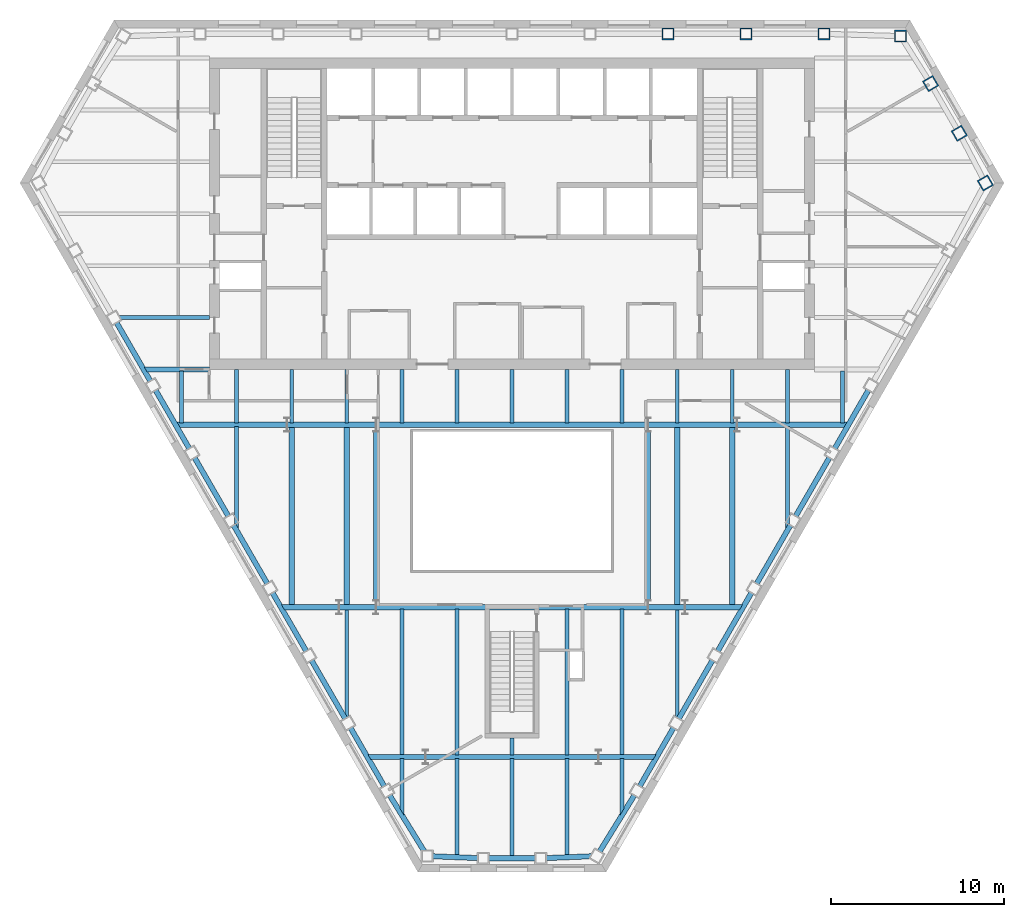
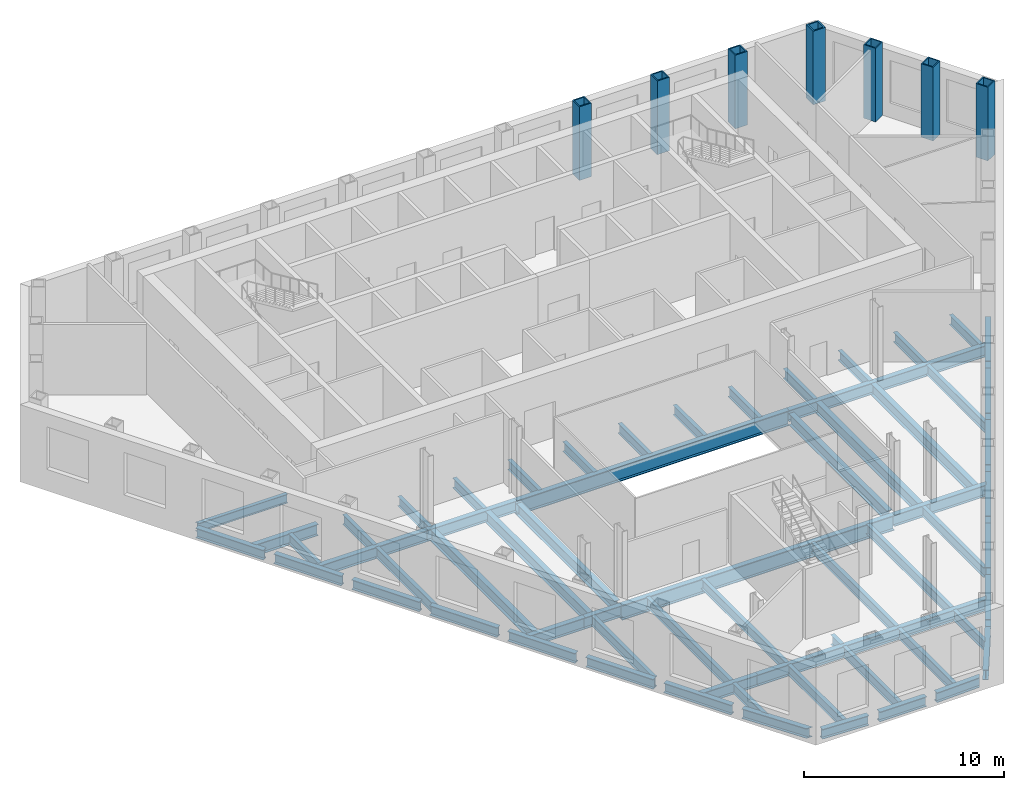
# One storey, part 2 of 10: 66 beams, 7 columns.
"""IFC4 building model written with IfcOpenShell, lengths in metres."""

import ifcopenshell
import ifcopenshell.guid

model = None  # the IFC model being written
_history = None  # IfcOwnerHistory: only IFC2X3 demands one
_inside = {}  # id of a spatial element -> (the spatial element, [elements in it])
_under = {}  # id of a project, library or spatial element -> (it, [spatial elements below it])
_declared = {}  # id of a project -> (the project, [libraries it declares])
_typed = {}  # id of a type object -> (the type object, [elements of that type])
_made_of = {}  # id of a material, layer set ... -> (it, [elements and type objects made of it])


def new_model(schema):
    """Start an empty IFC model of exactly this schema.

    Asked for "IFC4X3", IfcOpenShell would pick the latest addendum, in which some entities
    have other attributes; the version numbers below select the first issue.
    IFC2X3 requires an IfcOwnerHistory on every rooted entity: one is made here for all.
    """
    global model, _history
    if schema == "IFC4X3":
        model = ifcopenshell.file(schema_version=(4, 3, 0, 0))
    else:
        model = ifcopenshell.file(schema=schema)
    _inside.clear()
    _under.clear()
    _declared.clear()
    _typed.clear()
    _made_of.clear()
    _history = None
    if model.schema == "IFC2X3":
        org = make("IfcOrganization", Name="unknown")
        user = make(
            "IfcPersonAndOrganization",
            ThePerson=make("IfcPerson", FamilyName="unknown"),
            TheOrganization=org,
        )
        app = make(
            "IfcApplication",
            ApplicationDeveloper=org,
            Version="unknown",
            ApplicationFullName="unknown",
            ApplicationIdentifier="unknown",
        )
        _history = make(
            "IfcOwnerHistory",
            OwningUser=user,
            OwningApplication=app,
            ChangeAction="ADDED",
            CreationDate=0,
        )
    return model


def make(cls, **values):
    """One entity of the class cls with the attributes given. An attribute that is None is left unset."""
    return model.create_entity(
        cls, **{name: value for name, value in values.items() if value is not None}
    )


def rooted(cls, **values):
    """An entity with a GlobalId (a new one), such as an element, a storey or a relation."""
    return make(cls, GlobalId=ifcopenshell.guid.new(), OwnerHistory=_history, **values)


def si_unit(unit_type, name, prefix=None):
    """IfcSIUnit, for example si_unit("LENGTHUNIT", "METRE", prefix="MILLI")."""
    return make("IfcSIUnit", UnitType=unit_type, Prefix=prefix, Name=name)


def assignment(units):
    """IfcUnitAssignment: the units of a project."""
    return None if units is None else make("IfcUnitAssignment", Units=units)


def point(xyz):
    """IfcCartesianPoint."""
    return None if xyz is None else make("IfcCartesianPoint", Coordinates=xyz)


def direction(xyz):
    """IfcDirection."""
    return None if xyz is None else make("IfcDirection", DirectionRatios=xyz)


def frame(location, z_axis=None, x_axis=None):
    """IfcAxis2Placement3D, a coordinate frame: its origin and axes. An axis left out is left unset."""
    return make(
        "IfcAxis2Placement3D",
        Location=point(location),
        Axis=direction(z_axis),
        RefDirection=direction(x_axis),
    )


def frame_2d(location, x_axis=None):
    """IfcAxis2Placement2D, a coordinate frame in the plane: its origin and x axis."""
    return make(
        "IfcAxis2Placement2D", Location=point(location), RefDirection=direction(x_axis)
    )


def origin():
    """The frame at (0, 0, 0) with its axes left unset."""
    return frame((0.0, 0.0, 0.0))


def origin_2d():
    """The frame at (0, 0) in the plane with its x axis left unset."""
    return frame_2d((0.0, 0.0))


def place(relative_to, where):
    """IfcLocalPlacement: puts the frame where relative to a parent placement (None: the world)."""
    return make(
        "IfcLocalPlacement", PlacementRelTo=relative_to, RelativePlacement=where
    )


def context(
    kind, dimensions, precision=None, world=None, true_north=None, identifier=None
):
    """IfcGeometricRepresentationContext, for example the 3D "Model" context."""
    return make(
        "IfcGeometricRepresentationContext",
        ContextIdentifier=identifier,
        ContextType=kind,
        CoordinateSpaceDimension=dimensions,
        Precision=precision,
        WorldCoordinateSystem=world,
        TrueNorth=true_north,
    )


def subcontext(parent, identifier, kind, view, scale=None):
    """IfcGeometricRepresentationSubContext, for example "Body" below "Model"."""
    return make(
        "IfcGeometricRepresentationSubContext",
        ContextIdentifier=identifier,
        ContextType=kind,
        ParentContext=parent,
        TargetScale=scale,
        TargetView=view,
    )


def project(units=None, contexts=None):
    """IfcProject with its units and contexts."""
    return rooted(
        "IfcProject",
        Name="project",
        RepresentationContexts=contexts,
        UnitsInContext=assignment(units),
    )


def spatial(cls, under=None, at=None, **own):
    """A site, building, storey or space (cls), placed at a placement, below another one or the project."""
    s = rooted(cls, ObjectPlacement=at, **own)
    if under is not None:
        _under.setdefault(under.id(), (under, []))[1].append(s)
    return s


def profile(cls, at=None, kind="AREA", **sizes):
    """A parametric profile (cls). Its sizes go by their IFC names, for example OverallWidth=200.0."""
    return make(cls, ProfileType=kind, Position=at, **sizes)


def hollow_rectangle(**sizes):
    """IfcRectangleHollowProfileDef."""
    return profile("IfcRectangleHollowProfileDef", **sizes)


def i_section(**sizes):
    """IfcIShapeProfileDef."""
    return profile("IfcIShapeProfileDef", **sizes)


def extrude(swept, where, along, depth):
    """IfcExtrudedAreaSolid: the profile swept, set in the frame where, extruded along a direction by depth."""
    return make(
        "IfcExtrudedAreaSolid",
        SweptArea=swept,
        Position=where,
        ExtrudedDirection=direction(along),
        Depth=depth,
    )


def clip(a, b, op="DIFFERENCE"):
    """IfcBooleanClippingResult: the solid a cut by the half space b."""
    return make(
        "IfcBooleanClippingResult", Operator=op, FirstOperand=a, SecondOperand=b
    )


def halfspace(plane, agree):
    """IfcHalfSpaceSolid: all space on one side of the plane z = 0 of the frame plane."""
    return make(
        "IfcHalfSpaceSolid",
        BaseSurface=make("IfcPlane", Position=plane),
        AgreementFlag=agree,
    )


def shape(context_of_items, identifier, shape_type, items):
    """IfcShapeRepresentation: the items that make up one representation, for example the "Body"."""
    return make(
        "IfcShapeRepresentation",
        ContextOfItems=context_of_items,
        RepresentationIdentifier=identifier,
        RepresentationType=shape_type,
        Items=items,
    )


def material(Name=None, Category=None):
    """IfcMaterial."""
    return make("IfcMaterial", Name=Name, Category=Category)


def material_profile(
    of_material, cross_section, Name=None, Category=None, Priority=None
):
    """IfcMaterialProfile: a cross section and its material."""
    return make(
        "IfcMaterialProfile",
        Name=Name,
        Material=of_material,
        Profile=cross_section,
        Priority=Priority,
        Category=Category,
    )


def profile_set(profiles, Name=None, composite=None):
    """IfcMaterialProfileSet."""
    return make(
        "IfcMaterialProfileSet",
        Name=Name,
        MaterialProfiles=profiles,
        CompositeProfile=composite,
    )


def made_of(thing, what):
    """Note that an element or type object is made of a material, layer set ...; save() writes the relation."""
    if what is not None:
        _made_of.setdefault(what.id(), (what, []))[1].append(thing)
    return thing


def type_object(cls, material=None, **own):
    """A type object (cls), such as IfcWallType, which elements share."""
    return made_of(rooted(cls, **own), material)


def element(
    cls,
    number,
    at=None,
    inside=None,
    cuts=None,
    type_object=None,
    material=None,
    context=None,
    identifier="Body",
    shape_type=None,
    held_by="IfcProductDefinitionShape",
    body=None,
    shapes=None,
    **own,
):
    """One element of the class cls, such as IfcWall. Its Tag is "e" and its number.

    at: its placement. inside: the storey or other place that contains it. cuts: it is an
    opening in that element (IfcRelVoidsElement). A single representation is given by context,
    identifier, shape_type and body (its items); several are given by shapes. held_by: the class
    of the entity that holds the representations. save() writes the other relations.
    """
    e = rooted(cls, Tag="e%d" % number, ObjectPlacement=at, **own)
    if body is not None:
        shapes = [shape(context, identifier, shape_type, body)]
    if shapes is not None:
        e.Representation = make(held_by, Representations=shapes)
    if inside is not None:
        _inside.setdefault(inside.id(), (inside, []))[1].append(e)
    if cuts is not None:
        rooted(
            "IfcRelVoidsElement", RelatingBuildingElement=cuts, RelatedOpeningElement=e
        )
    if type_object is not None:
        _typed.setdefault(type_object.id(), (type_object, []))[1].append(e)
    return made_of(e, material)


def aggregate(whole, parts):
    """IfcRelAggregates: a whole, such as a stair, and the parts it consists of."""
    return rooted("IfcRelAggregates", RelatingObject=whole, RelatedObjects=parts)


def save(model, path):
    """Write the relations noted so far, then the file.

    IfcRelAggregates (storeys below a building ...), IfcRelContainedInSpatialStructure (elements
    in a storey), IfcRelDefinesByType, IfcRelAssociatesMaterial and IfcRelDeclares: one each for
    every whole, place, type object, material and project.
    """
    for whole, parts in _under.values():
        aggregate(whole, parts)
    for where, things in _inside.values():
        rooted(
            "IfcRelContainedInSpatialStructure",
            RelatedElements=things,
            RelatingStructure=where,
        )
    for kind, things in _typed.values():
        rooted("IfcRelDefinesByType", RelatedObjects=things, RelatingType=kind)
    for what, things in _made_of.values():
        rooted("IfcRelAssociatesMaterial", RelatedObjects=things, RelatingMaterial=what)
    for by, libraries in _declared.values():
        rooted("IfcRelDeclares", RelatingContext=by, RelatedDefinitions=libraries)
    model.write(path)


model = new_model("IFC4")

# Units and contexts
model_context = context("Model", 3, precision=1e-05, world=origin(), true_north=direction((0.0, 1.0)))
body_context = subcontext(model_context, "Body", "Model", "MODEL_VIEW")
ifc_project = project(units=[si_unit("LENGTHUNIT", "METRE"), si_unit("AREAUNIT", "SQUARE_METRE"), si_unit("VOLUMEUNIT", "CUBIC_METRE"), si_unit("PLANEANGLEUNIT", "RADIAN"), si_unit("MASSUNIT", "GRAM", prefix="KILO")], contexts=[model_context])

# Site, building, storey
site_placement = place(None, origin())
site = spatial("IfcSite", under=ifc_project, at=site_placement, CompositionType="ELEMENT")
building_placement = place(site_placement, origin())
building = spatial("IfcBuilding", under=site, at=building_placement, Name="Njiva Tower", CompositionType="ELEMENT")
storey_placement = place(building_placement, frame((0.0, 0.0, 73.8)))
storey = spatial("IfcBuildingStorey", under=building, at=storey_placement, Name="L15", CompositionType="ELEMENT", Elevation=73.8)

# Columns
ifc_material = material(Name="Steel S355 J2", Category="steel")
ifc_material_profile_1 = material_profile(ifc_material, hollow_rectangle(XDim=0.7, YDim=0.7, WallThickness=0.07, at=origin_2d()), Name="BOX 700x700x70")
ifc_profile_set_1 = profile_set([ifc_material_profile_1], Name="Steel S355 J2")
column_type = type_object("IfcColumnType", Name="C5 Perimeter tube column BOX 700x700x70", PredefinedType="COLUMN", material=ifc_profile_set_1)
for number, where, z_axis, x_axis, name in (
    (1, (22.461, 19.267, 0.0), (0.0, 0.0, 1.0), (-1.0, 0.0, 0.0), "Perimeter tube column S05-C01"),
    (2, (18.03, 19.4, 0.0), (0.0, 0.0, 1.0), (-1.0, 0.0, 0.0), "Perimeter tube column S05-C02"),
    (3, (13.523, 19.4, 0.0), (0.0, 0.0, 1.0), (-1.0, 0.0, 0.0), "Perimeter tube column S05-C03"),
    (4, (9.015, 19.4, 0.0), (0.0, 0.0, 1.0), (-1.0, 0.0, 0.0), "Perimeter tube column S05-C04"),
    (5, (27.363, 10.778, 0.0), (0.0, 0.0, 1.0), (-0.5, 0.866025403784, 0.0), "Perimeter tube column S05-C37"),
    (6, (25.857, 13.652, 0.0), (0.0, 0.0, 1.0), (-0.5, 0.866025403784, 0.0), "Perimeter tube column S05-C38"),
    (7, (24.197, 16.526, 0.0), (0.0, 0.0, 1.0), (-0.5, 0.866025403784, 0.0), "Perimeter tube column S05-C39"),
):
    element("IfcColumn", number, at=place(storey_placement, frame(where, z_axis=z_axis, x_axis=x_axis)), inside=storey, type_object=column_type, Name=name, PredefinedType="COLUMN", context=body_context, shape_type="SweptSolid", body=[
        extrude(hollow_rectangle(XDim=0.7, YDim=0.7, WallThickness=0.07, at=origin_2d()), origin(), (0.0, 0.0, 1.0), 4.5),
    ])

# Beams
ifc_material_profile_2 = material_profile(ifc_material, i_section(OverallWidth=0.21, OverallDepth=0.55, WebThickness=0.0111, FlangeThickness=0.0172, at=origin_2d()), Name="IPE 550")
ifc_profile_set_2 = profile_set([ifc_material_profile_2], Name="Steel S355 J2")
beam_type_1 = type_object("IfcBeamType", Name="B10 Floor beam to the core IPE 550", PredefinedType="BEAM", material=ifc_profile_set_2)
beam_1_placement = place(storey_placement, frame((-22.761, 3.0, -0.475), z_axis=(1.0, 0.0, 0.0), x_axis=(0.0, 1.0, 0.0)))
element("IfcBeam", 8, at=beam_1_placement, inside=storey, type_object=beam_type_1, Name="Floor beam to the core S05-B007", PredefinedType="BEAM", context=body_context, shape_type="Clipping", body=[
    clip(extrude(i_section(OverallWidth=0.21, OverallDepth=0.55, WebThickness=0.0111, FlangeThickness=0.0172, at=origin_2d()), origin(), (0.0, 0.0, 1.0), 5.261), halfspace(frame((-0.025, 0.0, 0.0955), z_axis=(-0.499998009787, 0.0, -0.866026552831), x_axis=(0.0, -1.0, 0.0)), False)),
])
ifc_material_profile_3 = material_profile(ifc_material, i_section(OverallWidth=0.3, OverallDepth=0.69, WebThickness=0.0145, FlangeThickness=0.027, at=origin_2d()), Name="HEA 700")
ifc_profile_set_3 = profile_set([ifc_material_profile_3], Name="Steel S355 J2")
beam_type_2 = type_object("IfcBeamType", Name="B12 Long-span floor joist HEA 700", PredefinedType="JOIST", material=ifc_profile_set_3)
for number, where, z_axis, x_axis, name in (
    (9, (-12.733, -3.3, -0.545), (0.0, -1.0, 0.0), (1.0, 0.0, 0.0), "Long-span floor joist S05-B063"),
    (10, (-9.55, -3.3, -0.545), (0.0, -1.0, 0.0), (1.0, 0.0, 0.0), "Long-span floor joist S05-B067"),
    (11, (9.55, -3.3, -0.545), (0.0, -1.0, 0.0), (1.0, 0.0, 0.0), "Long-span floor joist S05-B086"),
    (12, (12.733, -3.3, -0.545), (0.0, -1.0, 0.0), (1.0, 0.0, 0.0), "Long-span floor joist S05-B088"),
):
    element("IfcBeam", number, at=place(storey_placement, frame(where, z_axis=z_axis, x_axis=x_axis)), inside=storey, type_object=beam_type_2, Name=name, PredefinedType="JOIST", context=body_context, shape_type="SweptSolid", body=[
        extrude(i_section(OverallWidth=0.3, OverallDepth=0.69, WebThickness=0.0145, FlangeThickness=0.027, at=origin_2d()), origin(), (0.0, 0.0, 1.0), 10.35),
    ])
ifc_material_profile_4 = material_profile(ifc_material, i_section(OverallWidth=0.22, OverallDepth=0.6, WebThickness=0.012, FlangeThickness=0.019, at=origin_2d()), Name="IPE 600")
ifc_profile_set_4 = profile_set([ifc_material_profile_4], Name="Steel S355 J2")
beam_type_3 = type_object("IfcBeamType", Name="B13 Floor joist IPE 600", PredefinedType="JOIST", material=ifc_profile_set_4)
beam_2_placement = place(storey_placement, frame((-15.917, -3.3, -0.5), z_axis=(0.0, -1.0, 0.0), x_axis=(1.0, 0.0, 0.0)))
element("IfcBeam", 13, at=beam_2_placement, inside=storey, type_object=beam_type_3, Name="Floor joist S05-B061", PredefinedType="JOIST", context=body_context, shape_type="Clipping", body=[
    clip(extrude(i_section(OverallWidth=0.22, OverallDepth=0.6, WebThickness=0.012, FlangeThickness=0.019, at=origin_2d()), origin(), (0.0, 0.0, 1.0), 6.024), halfspace(frame((-0.043, 0.0, 5.7384), z_axis=(-0.866026552831, 0.0, 0.499998009787), x_axis=(0.0, 1.0, 0.0)), False)),
])
beam_3_placement = place(storey_placement, frame((-9.55, -13.85, -0.5), z_axis=(0.0, -1.0, 0.0), x_axis=(1.0, 0.0, 0.0)))
element("IfcBeam", 14, at=beam_3_placement, inside=storey, type_object=beam_type_3, Name="Floor joist S05-B066", PredefinedType="JOIST", context=body_context, shape_type="Clipping", body=[
    clip(extrude(i_section(OverallWidth=0.22, OverallDepth=0.6, WebThickness=0.012, FlangeThickness=0.019, at=origin_2d()), origin(), (0.0, 0.0, 1.0), 6.377), halfspace(frame((0.025, 0.0, 6.2781), z_axis=(0.499998009787, 0.0, 0.866026552831), x_axis=(0.0, 1.0, 0.0)), False)),
])
for number, where, z_axis, x_axis, name in (
    (15, (-6.367, -13.851, -0.5), (0.0, -1.0, 0.0), (1.0, 0.0, 0.0), "Floor joist S05-B070"),
    (16, (-3.183, -13.851, -0.5), (0.0, -1.0, 0.0), (1.0, 0.0, 0.0), "Floor joist S05-B073"),
):
    element("IfcBeam", number, at=place(storey_placement, frame(where, z_axis=z_axis, x_axis=x_axis)), inside=storey, type_object=beam_type_3, Name=name, PredefinedType="JOIST", context=body_context, shape_type="SweptSolid", body=[
        extrude(i_section(OverallWidth=0.22, OverallDepth=0.6, WebThickness=0.012, FlangeThickness=0.019, at=origin_2d()), origin(), (0.0, 0.0, 1.0), 8.449),
    ])
beam_4_placement = place(storey_placement, frame((-3.183, -22.5, -0.5), z_axis=(0.0, -1.0, 0.0), x_axis=(1.0, 0.0, 0.0)))
element("IfcBeam", 17, at=beam_4_placement, inside=storey, type_object=beam_type_3, Name="Floor joist S05-B072", PredefinedType="JOIST", context=body_context, shape_type="SweptSolid", body=[
    extrude(i_section(OverallWidth=0.22, OverallDepth=0.6, WebThickness=0.012, FlangeThickness=0.019, at=origin_2d()), origin(), (0.0, 0.0, 1.0), 5.593),
])
beam_5_placement = place(storey_placement, frame((0.0, -22.5, -0.5), z_axis=(0.0, -1.0, 0.0), x_axis=(1.0, 0.0, 0.0)))
element("IfcBeam", 18, at=beam_5_placement, inside=storey, type_object=beam_type_3, Name="Floor joist S05-B075", PredefinedType="JOIST", context=body_context, shape_type="SweptSolid", body=[
    extrude(i_section(OverallWidth=0.22, OverallDepth=0.6, WebThickness=0.012, FlangeThickness=0.019, at=origin_2d()), origin(), (0.0, 0.0, 1.0), 5.66),
])
beam_6_placement = place(storey_placement, frame((3.183, -13.851, -0.5), z_axis=(0.0, -1.0, 0.0), x_axis=(1.0, 0.0, 0.0)))
element("IfcBeam", 19, at=beam_6_placement, inside=storey, type_object=beam_type_3, Name="Floor joist S05-B079", PredefinedType="JOIST", context=body_context, shape_type="SweptSolid", body=[
    extrude(i_section(OverallWidth=0.22, OverallDepth=0.6, WebThickness=0.012, FlangeThickness=0.019, at=origin_2d()), origin(), (0.0, 0.0, 1.0), 8.449),
])
beam_7_placement = place(storey_placement, frame((3.183, -22.5, -0.5), z_axis=(0.0, -1.0, 0.0), x_axis=(1.0, 0.0, 0.0)))
element("IfcBeam", 20, at=beam_7_placement, inside=storey, type_object=beam_type_3, Name="Floor joist S05-B078", PredefinedType="JOIST", context=body_context, shape_type="SweptSolid", body=[
    extrude(i_section(OverallWidth=0.22, OverallDepth=0.6, WebThickness=0.012, FlangeThickness=0.019, at=origin_2d()), origin(), (0.0, 0.0, 1.0), 5.593),
])
beam_8_placement = place(storey_placement, frame((6.367, -13.851, -0.5), z_axis=(0.0, -1.0, 0.0), x_axis=(1.0, 0.0, 0.0)))
element("IfcBeam", 21, at=beam_8_placement, inside=storey, type_object=beam_type_3, Name="Floor joist S05-B082", PredefinedType="JOIST", context=body_context, shape_type="SweptSolid", body=[
    extrude(i_section(OverallWidth=0.22, OverallDepth=0.6, WebThickness=0.012, FlangeThickness=0.019, at=origin_2d()), origin(), (0.0, 0.0, 1.0), 8.449),
])
beam_9_placement = place(storey_placement, frame((9.55, -13.85, -0.5), z_axis=(0.0, -1.0, 0.0), x_axis=(1.0, 0.0, 0.0)))
element("IfcBeam", 22, at=beam_9_placement, inside=storey, type_object=beam_type_3, Name="Floor joist S05-B085", PredefinedType="JOIST", context=body_context, shape_type="Clipping", body=[
    clip(extrude(i_section(OverallWidth=0.22, OverallDepth=0.6, WebThickness=0.012, FlangeThickness=0.019, at=origin_2d()), origin(), (0.0, 0.0, 1.0), 6.377), halfspace(frame((-0.025, 0.0, 6.2781), z_axis=(-0.499998009787, 0.0, 0.866026552831), x_axis=(0.0, 1.0, 0.0)), False)),
])
beam_10_placement = place(storey_placement, frame((15.917, -3.3, -0.5), z_axis=(0.0, -1.0, 0.0), x_axis=(1.0, 0.0, 0.0)))
element("IfcBeam", 23, at=beam_10_placement, inside=storey, type_object=beam_type_3, Name="Floor joist S05-B090", PredefinedType="JOIST", context=body_context, shape_type="Clipping", body=[
    clip(extrude(i_section(OverallWidth=0.22, OverallDepth=0.6, WebThickness=0.012, FlangeThickness=0.019, at=origin_2d()), origin(), (0.0, 0.0, 1.0), 6.024), halfspace(frame((0.043, 0.0, 5.7384), z_axis=(0.866026552831, 0.0, 0.499998009787), x_axis=(0.0, 1.0, 0.0)), False)),
])
ifc_material_profile_5 = material_profile(ifc_material, i_section(OverallWidth=0.22, OverallDepth=0.6, WebThickness=0.012, FlangeThickness=0.019, at=origin_2d()), Name="IPE 600")
ifc_profile_set_5 = profile_set([ifc_material_profile_5], Name="Steel S355 J2")
beam_type_4 = type_object("IfcBeamType", Name="B14 Short-span floor joist IPE 600", PredefinedType="JOIST", material=ifc_profile_set_5)
beam_11_placement = place(storey_placement, frame((-19.1, -0.1, -0.5), z_axis=(0.0, -1.0, 0.0), x_axis=(1.0, 0.0, 0.0)))
element("IfcBeam", 24, at=beam_11_placement, inside=storey, type_object=beam_type_4, Name="Short-span floor joist S05-B060", PredefinedType="JOIST", context=body_context, shape_type="SweptSolid", body=[
    extrude(i_section(OverallWidth=0.22, OverallDepth=0.6, WebThickness=0.012, FlangeThickness=0.019, at=origin_2d()), origin(), (0.0, 0.0, 1.0), 3.0),
])
for number, where, z_axis, x_axis, name in (
    (25, (-15.917, -0.005, -0.5), (0.0, -1.0, 0.0), (1.0, 0.0, 0.0), "Short-span floor joist S05-B062"),
    (26, (-12.733, -0.005, -0.5), (0.0, -1.0, 0.0), (1.0, 0.0, 0.0), "Short-span floor joist S05-B064"),
    (27, (-9.55, -0.005, -0.5), (0.0, -1.0, 0.0), (1.0, 0.0, 0.0), "Short-span floor joist S05-B068"),
):
    element("IfcBeam", number, at=place(storey_placement, frame(where, z_axis=z_axis, x_axis=x_axis)), inside=storey, type_object=beam_type_4, Name=name, PredefinedType="JOIST", context=body_context, shape_type="SweptSolid", body=[
        extrude(i_section(OverallWidth=0.22, OverallDepth=0.6, WebThickness=0.012, FlangeThickness=0.019, at=origin_2d()), origin(), (0.0, 0.0, 1.0), 3.095),
    ])
beam_12_placement = place(storey_placement, frame((-6.367, -0.005, -0.5), z_axis=(0.0, -1.0, 0.0), x_axis=(1.0, 0.0, 0.0)))
element("IfcBeam", 28, at=beam_12_placement, inside=storey, type_object=beam_type_4, Name="Short-span floor joist S05-B071", PredefinedType="JOIST", context=body_context, shape_type="SweptSolid", body=[
    extrude(i_section(OverallWidth=0.22, OverallDepth=0.6, WebThickness=0.012, FlangeThickness=0.019, at=origin_2d()), origin(), (0.0, 0.0, 1.0), 3.094),
])
beam_13_placement = place(storey_placement, frame((-6.367, -22.5, -0.5), z_axis=(0.0, -1.0, 0.0), x_axis=(1.0, 0.0, 0.0)))
element("IfcBeam", 29, at=beam_13_placement, inside=storey, type_object=beam_type_4, Name="Short-span floor joist S05-B069", PredefinedType="JOIST", context=body_context, shape_type="Clipping", body=[
    clip(extrude(i_section(OverallWidth=0.22, OverallDepth=0.6, WebThickness=0.012, FlangeThickness=0.019, at=origin_2d()), origin(), (0.0, 0.0, 1.0), 3.263), halfspace(frame((-0.0422, 0.0, 2.9967), z_axis=(-0.850620428373, 0.0, 0.525780264783), x_axis=(0.0, 1.0, 0.0)), False)),
])
for number, where, z_axis, x_axis, name in (
    (30, (-3.183, -0.005, -0.5), (0.0, -1.0, 0.0), (1.0, 0.0, 0.0), "Short-span floor joist S05-B074"),
    (31, (0.0, -0.005, -0.5), (0.0, -1.0, 0.0), (1.0, 0.0, 0.0), "Short-span floor joist S05-B077"),
):
    element("IfcBeam", number, at=place(storey_placement, frame(where, z_axis=z_axis, x_axis=x_axis)), inside=storey, type_object=beam_type_4, Name=name, PredefinedType="JOIST", context=body_context, shape_type="SweptSolid", body=[
        extrude(i_section(OverallWidth=0.22, OverallDepth=0.6, WebThickness=0.012, FlangeThickness=0.019, at=origin_2d()), origin(), (0.0, 0.0, 1.0), 3.094),
    ])
beam_14_placement = place(storey_placement, frame((0.0, -21.3, -0.5), z_axis=(0.0, -1.0, 0.0), x_axis=(1.0, 0.0, 0.0)))
element("IfcBeam", 32, at=beam_14_placement, inside=storey, type_object=beam_type_4, Name="Short-span floor joist S05-B076", PredefinedType="JOIST", context=body_context, shape_type="SweptSolid", body=[
    extrude(i_section(OverallWidth=0.22, OverallDepth=0.6, WebThickness=0.012, FlangeThickness=0.019, at=origin_2d()), origin(), (0.0, 0.0, 1.0), 1.0),
])
for number, where, z_axis, x_axis, name in (
    (33, (3.183, -0.005, -0.5), (0.0, -1.0, 0.0), (1.0, 0.0, 0.0), "Short-span floor joist S05-B080"),
    (34, (6.367, -0.005, -0.5), (0.0, -1.0, 0.0), (1.0, 0.0, 0.0), "Short-span floor joist S05-B083"),
):
    element("IfcBeam", number, at=place(storey_placement, frame(where, z_axis=z_axis, x_axis=x_axis)), inside=storey, type_object=beam_type_4, Name=name, PredefinedType="JOIST", context=body_context, shape_type="SweptSolid", body=[
        extrude(i_section(OverallWidth=0.22, OverallDepth=0.6, WebThickness=0.012, FlangeThickness=0.019, at=origin_2d()), origin(), (0.0, 0.0, 1.0), 3.094),
    ])
beam_15_placement = place(storey_placement, frame((6.367, -22.5, -0.5), z_axis=(0.0, -1.0, 0.0), x_axis=(1.0, 0.0, 0.0)))
element("IfcBeam", 35, at=beam_15_placement, inside=storey, type_object=beam_type_4, Name="Short-span floor joist S05-B081", PredefinedType="JOIST", context=body_context, shape_type="Clipping", body=[
    clip(extrude(i_section(OverallWidth=0.22, OverallDepth=0.6, WebThickness=0.012, FlangeThickness=0.019, at=origin_2d()), origin(), (0.0, 0.0, 1.0), 3.263), halfspace(frame((0.0422, 0.0, 2.9967), z_axis=(0.850620428373, 0.0, 0.525780264783), x_axis=(0.0, 1.0, 0.0)), False)),
])
for number, where, z_axis, x_axis, name in (
    (36, (9.55, -0.005, -0.5), (0.0, -1.0, 0.0), (1.0, 0.0, 0.0), "Short-span floor joist S05-B087"),
    (37, (12.733, -0.005, -0.5), (0.0, -1.0, 0.0), (1.0, 0.0, 0.0), "Short-span floor joist S05-B089"),
    (38, (15.917, -0.005, -0.5), (0.0, -1.0, 0.0), (1.0, 0.0, 0.0), "Short-span floor joist S05-B091"),
):
    element("IfcBeam", number, at=place(storey_placement, frame(where, z_axis=z_axis, x_axis=x_axis)), inside=storey, type_object=beam_type_4, Name=name, PredefinedType="JOIST", context=body_context, shape_type="SweptSolid", body=[
        extrude(i_section(OverallWidth=0.22, OverallDepth=0.6, WebThickness=0.012, FlangeThickness=0.019, at=origin_2d()), origin(), (0.0, 0.0, 1.0), 3.095),
    ])
beam_16_placement = place(storey_placement, frame((19.1, -0.1, -0.5), z_axis=(0.0, -1.0, 0.0), x_axis=(1.0, 0.0, 0.0)))
element("IfcBeam", 39, at=beam_16_placement, inside=storey, type_object=beam_type_4, Name="Short-span floor joist S05-B092", PredefinedType="JOIST", context=body_context, shape_type="SweptSolid", body=[
    extrude(i_section(OverallWidth=0.22, OverallDepth=0.6, WebThickness=0.012, FlangeThickness=0.019, at=origin_2d()), origin(), (0.0, 0.0, 1.0), 3.0),
])
ifc_material_profile_6 = material_profile(ifc_material, i_section(OverallWidth=0.3, OverallDepth=0.69, WebThickness=0.0145, FlangeThickness=0.027, at=origin_2d()), Name="HEA 700")
ifc_profile_set_6 = profile_set([ifc_material_profile_6], Name="Steel S355 J2")
beam_type_5 = type_object("IfcBeamType", Name="B15 Floor girder HEA 700", PredefinedType="BEAM", material=ifc_profile_set_6)
beam_17_placement = place(storey_placement, frame((-19.438, -3.2, -0.545), z_axis=(1.0, 0.0, 0.0), x_axis=(0.0, 1.0, 0.0)))
element("IfcBeam", 40, at=beam_17_placement, inside=storey, type_object=beam_type_5, Name="Floor girder S05-B016", PredefinedType="BEAM", context=body_context, shape_type="Clipping", body=[
    clip(extrude(i_section(OverallWidth=0.3, OverallDepth=0.69, WebThickness=0.0145, FlangeThickness=0.027, at=origin_2d()), origin(), (0.0, 0.0, 1.0), 6.438), halfspace(frame((-0.025, 0.0, 0.1217), z_axis=(-0.499998009787, 0.0, -0.866026552831), x_axis=(0.0, -1.0, 0.0)), False)),
])
for number, where, z_axis, x_axis, name in (
    (41, (-13.0, -3.2, -0.545), (1.0, 0.0, 0.0), (0.0, 1.0, 0.0), "Floor girder S05-B018"),
    (42, (7.87, -3.2, -0.545), (1.0, 0.0, 0.0), (0.0, 1.0, 0.0), "Floor girder S05-B024"),
):
    element("IfcBeam", number, at=place(storey_placement, frame(where, z_axis=z_axis, x_axis=x_axis)), inside=storey, type_object=beam_type_5, Name=name, PredefinedType="BEAM", context=body_context, shape_type="SweptSolid", body=[
        extrude(i_section(OverallWidth=0.3, OverallDepth=0.69, WebThickness=0.0145, FlangeThickness=0.027, at=origin_2d()), origin(), (0.0, 0.0, 1.0), 5.13),
    ])
beam_18_placement = place(storey_placement, frame((13.0, -3.2, -0.545), z_axis=(1.0, 0.0, 0.0), x_axis=(0.0, 1.0, 0.0)))
element("IfcBeam", 43, at=beam_18_placement, inside=storey, type_object=beam_type_5, Name="Floor girder S05-B026", PredefinedType="BEAM", context=body_context, shape_type="Clipping", body=[
    clip(extrude(i_section(OverallWidth=0.3, OverallDepth=0.69, WebThickness=0.0145, FlangeThickness=0.027, at=origin_2d()), origin(), (0.0, 0.0, 1.0), 6.438), halfspace(frame((-0.025, 0.0, 6.3163), z_axis=(-0.499998009787, 0.0, 0.866026552831), x_axis=(0.0, 1.0, 0.0)), False)),
])
ifc_material_profile_7 = material_profile(ifc_material, i_section(OverallWidth=0.3, OverallDepth=0.69, WebThickness=0.0145, FlangeThickness=0.027, at=origin_2d()), Name="HEA 700")
ifc_profile_set_7 = profile_set([ifc_material_profile_7], Name="Steel S355 J2")
beam_type_6 = type_object("IfcBeamType", Name="B16 Short-span floor girder HEA 700", PredefinedType="BEAM", material=ifc_profile_set_7)
beam_19_placement = place(storey_placement, frame((-13.347, -13.75, -0.545), z_axis=(1.0, 0.0, 0.0), x_axis=(0.0, 1.0, 0.0)))
element("IfcBeam", 44, at=beam_19_placement, inside=storey, type_object=beam_type_6, Name="Short-span floor girder S05-B017", PredefinedType="BEAM", context=body_context, shape_type="Clipping", body=[
    clip(extrude(i_section(OverallWidth=0.3, OverallDepth=0.69, WebThickness=0.0145, FlangeThickness=0.027, at=origin_2d()), origin(), (0.0, 0.0, 1.0), 3.347), halfspace(frame((-0.025, 0.0, 0.1217), z_axis=(-0.499998009787, 0.0, -0.866026552831), x_axis=(0.0, -1.0, 0.0)), False)),
])
for number, where, z_axis, x_axis, name in (
    (45, (-10.0, -13.75, -0.545), (1.0, 0.0, 0.0), (0.0, 1.0, 0.0), "Short-span floor girder S05-B019"),
    (46, (7.87, -13.75, -0.545), (1.0, 0.0, 0.0), (0.0, 1.0, 0.0), "Short-span floor girder S05-B023"),
):
    element("IfcBeam", number, at=place(storey_placement, frame(where, z_axis=z_axis, x_axis=x_axis)), inside=storey, type_object=beam_type_6, Name=name, PredefinedType="BEAM", context=body_context, shape_type="SweptSolid", body=[
        extrude(i_section(OverallWidth=0.3, OverallDepth=0.69, WebThickness=0.0145, FlangeThickness=0.027, at=origin_2d()), origin(), (0.0, 0.0, 1.0), 2.13),
    ])
beam_20_placement = place(storey_placement, frame((10.0, -13.75, -0.545), z_axis=(1.0, 0.0, 0.0), x_axis=(0.0, 1.0, 0.0)))
element("IfcBeam", 47, at=beam_20_placement, inside=storey, type_object=beam_type_6, Name="Short-span floor girder S05-B025", PredefinedType="BEAM", context=body_context, shape_type="Clipping", body=[
    clip(extrude(i_section(OverallWidth=0.3, OverallDepth=0.69, WebThickness=0.0145, FlangeThickness=0.027, at=origin_2d()), origin(), (0.0, 0.0, 1.0), 3.347), halfspace(frame((-0.025, 0.0, 3.2253), z_axis=(-0.499998009787, 0.0, 0.866026552831), x_axis=(0.0, 1.0, 0.0)), False)),
])
beam_21_placement = place(storey_placement, frame((-8.353, -22.4, -0.545), z_axis=(1.0, 0.0, 0.0), x_axis=(0.0, 1.0, 0.0)))
element("IfcBeam", 48, at=beam_21_placement, inside=storey, type_object=beam_type_6, Name="Short-span floor girder S05-B020", PredefinedType="BEAM", context=body_context, shape_type="Clipping", body=[
    clip(extrude(i_section(OverallWidth=0.3, OverallDepth=0.69, WebThickness=0.0145, FlangeThickness=0.027, at=origin_2d()), origin(), (0.0, 0.0, 1.0), 3.353), halfspace(frame((-0.025, 0.0, 0.1218), z_axis=(-0.499998009787, 0.0, -0.866026552831), x_axis=(0.0, -1.0, 0.0)), False)),
])
beam_22_placement = place(storey_placement, frame((5.0, -22.4, -0.545), z_axis=(1.0, 0.0, 0.0), x_axis=(0.0, 1.0, 0.0)))
element("IfcBeam", 49, at=beam_22_placement, inside=storey, type_object=beam_type_6, Name="Short-span floor girder S05-B022", PredefinedType="BEAM", context=body_context, shape_type="Clipping", body=[
    clip(extrude(i_section(OverallWidth=0.3, OverallDepth=0.69, WebThickness=0.0145, FlangeThickness=0.027, at=origin_2d()), origin(), (0.0, 0.0, 1.0), 3.353), halfspace(frame((-0.025, 0.0, 3.2312), z_axis=(-0.499998009787, 0.0, 0.866026552831), x_axis=(0.0, 1.0, 0.0)), False)),
])
beam_23_placement = place(storey_placement, frame((-21.285, 0.0, -0.545), z_axis=(1.0, 0.0, 0.0), x_axis=(0.0, 1.0, 0.0)))
element("IfcBeam", 50, at=beam_23_placement, inside=storey, type_object=beam_type_6, Name="Short-span floor girder S05-B015", PredefinedType="BEAM", context=body_context, shape_type="Clipping", body=[
    clip(extrude(i_section(OverallWidth=0.3, OverallDepth=0.69, WebThickness=0.0145, FlangeThickness=0.027, at=origin_2d()), origin(), (0.0, 0.0, 1.0), 3.785), halfspace(frame((-0.025, 0.0, 0.1211), z_axis=(-0.499998009787, 0.0, -0.866026552831), x_axis=(0.0, -1.0, 0.0)), False)),
])
ifc_material_profile_8 = material_profile(ifc_material, i_section(OverallWidth=0.3, OverallDepth=0.69, WebThickness=0.0145, FlangeThickness=0.027, at=origin_2d()), Name="HEA 700")
ifc_profile_set_8 = profile_set([ifc_material_profile_8], Name="Steel S355 J2")
beam_type_7 = type_object("IfcBeamType", Name="B17 Long-span floor girder HEA 700", PredefinedType="BEAM", material=ifc_profile_set_8)
beam_24_placement = place(storey_placement, frame((-5.0, -22.4, -0.545), z_axis=(1.0, 0.0, 0.0), x_axis=(0.0, 1.0, 0.0)))
element("IfcBeam", 51, at=beam_24_placement, inside=storey, type_object=beam_type_7, Name="Long-span floor girder S05-B021", PredefinedType="BEAM", context=body_context, shape_type="SweptSolid", body=[
    extrude(i_section(OverallWidth=0.3, OverallDepth=0.69, WebThickness=0.0145, FlangeThickness=0.027, at=origin_2d()), origin(), (0.0, 0.0, 1.0), 10.0),
])
ifc_material_profile_9 = material_profile(ifc_material, i_section(OverallWidth=0.3, OverallDepth=0.69, WebThickness=0.0145, FlangeThickness=0.027, at=origin_2d()), Name="HEA 700")
ifc_profile_set_9 = profile_set([ifc_material_profile_9], Name="Steel S355 J2")
beam_type_8 = type_object("IfcBeamType", Name="B18 Long-span atrium trimmer beam HEA 700", PredefinedType="BEAM", material=ifc_profile_set_9)
for number, where, z_axis, x_axis, name in (
    (52, (7.87, -13.393, -0.545), (0.0, 1.0, 0.0), (-1.0, 0.0, 0.0), "Long-span atrium trimmer beam S05-B098"),
    (53, (-7.87, -3.557, -0.545), (0.0, -1.0, 0.0), (1.0, 0.0, 0.0), "Long-span atrium trimmer beam S05-B095"),
):
    element("IfcBeam", number, at=place(storey_placement, frame(where, z_axis=z_axis, x_axis=x_axis)), inside=storey, type_object=beam_type_8, Name=name, PredefinedType="BEAM", context=body_context, shape_type="SweptSolid", body=[
        extrude(i_section(OverallWidth=0.3, OverallDepth=0.69, WebThickness=0.0145, FlangeThickness=0.027, at=origin_2d()), origin(), (0.0, 0.0, 1.0), 9.836),
    ])
ifc_material_profile_10 = material_profile(ifc_material, i_section(OverallWidth=0.3, OverallDepth=0.6, WebThickness=0.0155, FlangeThickness=0.03, at=origin_2d()), Name="HEB 600")
ifc_profile_set_10 = profile_set([ifc_material_profile_10], Name="Steel S355 J2")
beam_type_9 = type_object("IfcBeamType", Name="B3 Short-span spandrel beam HEB 600", PredefinedType="SPANDREL", material=ifc_profile_set_10)
beam_25_placement = place(storey_placement, frame((-22.859, 2.71, -0.5), z_axis=(0.500047346826, -0.865998066356, 0.0), x_axis=(0.865998066356, 0.500047346826, 0.0)))
element("IfcBeam", 54, at=beam_25_placement, inside=storey, type_object=beam_type_9, Name="Short-span spandrel beam S05-B109", PredefinedType="SPANDREL", context=body_context, shape_type="SweptSolid", body=[
    extrude(i_section(OverallWidth=0.3, OverallDepth=0.6, WebThickness=0.0155, FlangeThickness=0.03, at=origin_2d()), origin(), (0.0, 0.0, 1.0), 3.9076),
])
beam_26_placement = place(storey_placement, frame((-20.605, -1.194, -0.5), z_axis=(0.500158186394, -0.865934055563, 0.0), x_axis=(0.865934055563, 0.500158186394, 0.0)))
element("IfcBeam", 55, at=beam_26_placement, inside=storey, type_object=beam_type_9, Name="Short-span spandrel beam S05-B113", PredefinedType="SPANDREL", context=body_context, shape_type="SweptSolid", body=[
    extrude(i_section(OverallWidth=0.3, OverallDepth=0.6, WebThickness=0.0155, FlangeThickness=0.03, at=origin_2d()), origin(), (0.0, 0.0, 1.0), 3.9068),
])
for number, where, z_axis, x_axis, name in (
    (56, (-18.351, -5.097, -0.5), (0.500047346826, -0.865998066356, 0.0), (0.865998066356, 0.500047346826, 0.0), "Short-span spandrel beam S05-B115"),
    (57, (-16.097, -9.001, -0.5), (0.500047346826, -0.865998066356, 0.0), (0.865998066356, 0.500047346826, 0.0), "Short-span spandrel beam S05-B119"),
):
    element("IfcBeam", number, at=place(storey_placement, frame(where, z_axis=z_axis, x_axis=x_axis)), inside=storey, type_object=beam_type_9, Name=name, PredefinedType="SPANDREL", context=body_context, shape_type="SweptSolid", body=[
        extrude(i_section(OverallWidth=0.3, OverallDepth=0.6, WebThickness=0.0155, FlangeThickness=0.03, at=origin_2d()), origin(), (0.0, 0.0, 1.0), 3.9076),
    ])
beam_27_placement = place(storey_placement, frame((-13.843, -12.905, -0.5), z_axis=(0.499966215292, -0.866044908516, 0.0), x_axis=(0.866044908516, 0.499966215292, 0.0)))
element("IfcBeam", 58, at=beam_27_placement, inside=storey, type_object=beam_type_9, Name="Short-span spandrel beam S05-B121", PredefinedType="SPANDREL", context=body_context, shape_type="SweptSolid", body=[
    extrude(i_section(OverallWidth=0.3, OverallDepth=0.6, WebThickness=0.0155, FlangeThickness=0.03, at=origin_2d()), origin(), (0.0, 0.0, 1.0), 3.9063),
])
for number, where, z_axis, x_axis, name in (
    (59, (-11.59, -16.808, -0.5), (0.500047346826, -0.865998066356, 0.0), (0.865998066356, 0.500047346826, 0.0), "Short-span spandrel beam S05-B125"),
    (60, (-9.336, -20.712, -0.5), (0.500047346826, -0.865998066356, 0.0), (0.865998066356, 0.500047346826, 0.0), "Short-span spandrel beam S05-B127"),
):
    element("IfcBeam", number, at=place(storey_placement, frame(where, z_axis=z_axis, x_axis=x_axis)), inside=storey, type_object=beam_type_9, Name=name, PredefinedType="SPANDREL", context=body_context, shape_type="SweptSolid", body=[
        extrude(i_section(OverallWidth=0.3, OverallDepth=0.6, WebThickness=0.0155, FlangeThickness=0.03, at=origin_2d()), origin(), (0.0, 0.0, 1.0), 3.9076),
    ])
beam_28_placement = place(storey_placement, frame((-7.072, -24.614, -0.5), z_axis=(0.525707123984, -0.850665633368, 0.0), x_axis=(0.850665633368, 0.525707123984, 0.0)))
element("IfcBeam", 61, at=beam_28_placement, inside=storey, type_object=beam_type_9, Name="Short-span spandrel beam S05-B130", PredefinedType="SPANDREL", context=body_context, shape_type="Clipping", body=[
    clip(extrude(i_section(OverallWidth=0.3, OverallDepth=0.6, WebThickness=0.0155, FlangeThickness=0.03, at=origin_2d()), origin(), (0.0, 0.0, 1.0), 3.8889), halfspace(frame((-0.0263, 0.0, 3.7596), z_axis=(-0.525707123984, 0.0, 0.850665633368), x_axis=(0.0, 1.0, 0.0)), False)),
])
beam_29_placement = place(storey_placement, frame((-4.596, -28.139, -0.5), z_axis=(0.999159190252, -0.040998933339, 0.0), x_axis=(0.040998933339, 0.999159190252, 0.0)))
element("IfcBeam", 62, at=beam_29_placement, inside=storey, type_object=beam_type_9, Name="Short-span spandrel beam S05-B133", PredefinedType="SPANDREL", context=body_context, shape_type="SweptSolid", body=[
    extrude(i_section(OverallWidth=0.3, OverallDepth=0.6, WebThickness=0.0155, FlangeThickness=0.03, at=origin_2d()), origin(), (0.0, 0.0, 1.0), 2.6342),
])
beam_30_placement = place(storey_placement, frame((-1.359, -28.26, -0.5), z_axis=(1.0, 0.0, 0.0), x_axis=(0.0, 1.0, 0.0)))
element("IfcBeam", 63, at=beam_30_placement, inside=storey, type_object=beam_type_9, Name="Short-span spandrel beam S05-B136", PredefinedType="SPANDREL", context=body_context, shape_type="SweptSolid", body=[
    extrude(i_section(OverallWidth=0.3, OverallDepth=0.6, WebThickness=0.0155, FlangeThickness=0.03, at=origin_2d()), origin(), (0.0, 0.0, 1.0), 2.718),
])
beam_31_placement = place(storey_placement, frame((1.964, -28.247, -0.5), z_axis=(0.99915837095, 0.041018895167, 0.0), x_axis=(-0.041018895167, 0.99915837095, 0.0)))
element("IfcBeam", 64, at=beam_31_placement, inside=storey, type_object=beam_type_9, Name="Short-span spandrel beam S05-B138", PredefinedType="SPANDREL", context=body_context, shape_type="Clipping", body=[
    clip(extrude(i_section(OverallWidth=0.3, OverallDepth=0.6, WebThickness=0.0155, FlangeThickness=0.03, at=origin_2d()), origin(), (0.0, 0.0, 1.0), 2.6992), halfspace(frame((-0.0267, 0.0, 2.5672), z_axis=(-0.535100649319, 0.0, 0.844788313779), x_axis=(0.0, 1.0, 0.0)), False)),
])
beam_32_placement = place(storey_placement, frame((5.061, -27.868, -0.5), z_axis=(0.525715487097, 0.850660464949, 0.0), x_axis=(-0.850660464949, 0.525715487097, 0.0)))
element("IfcBeam", 65, at=beam_32_placement, inside=storey, type_object=beam_type_9, Name="Short-span spandrel beam S05-B142", PredefinedType="SPANDREL", context=body_context, shape_type="SweptSolid", body=[
    extrude(i_section(OverallWidth=0.3, OverallDepth=0.6, WebThickness=0.0155, FlangeThickness=0.03, at=origin_2d()), origin(), (0.0, 0.0, 1.0), 3.8253),
])
for number, where, z_axis, x_axis, name in (
    (66, (7.382, -24.096, -0.5), (0.500047346826, 0.865998066356, 0.0), (-0.865998066356, 0.500047346826, 0.0), "Short-span spandrel beam S05-B144"),
    (67, (9.636, -20.192, -0.5), (0.500047346826, 0.865998066356, 0.0), (-0.865998066356, 0.500047346826, 0.0), "Short-span spandrel beam S05-B148"),
):
    element("IfcBeam", number, at=place(storey_placement, frame(where, z_axis=z_axis, x_axis=x_axis)), inside=storey, type_object=beam_type_9, Name=name, PredefinedType="SPANDREL", context=body_context, shape_type="SweptSolid", body=[
        extrude(i_section(OverallWidth=0.3, OverallDepth=0.6, WebThickness=0.0155, FlangeThickness=0.03, at=origin_2d()), origin(), (0.0, 0.0, 1.0), 3.9076),
    ])
beam_33_placement = place(storey_placement, frame((11.89, -16.288, -0.5), z_axis=(0.499966215292, 0.866044908516, 0.0), x_axis=(-0.866044908516, 0.499966215292, 0.0)))
element("IfcBeam", 68, at=beam_33_placement, inside=storey, type_object=beam_type_9, Name="Short-span spandrel beam S05-B150", PredefinedType="SPANDREL", context=body_context, shape_type="SweptSolid", body=[
    extrude(i_section(OverallWidth=0.3, OverallDepth=0.6, WebThickness=0.0155, FlangeThickness=0.03, at=origin_2d()), origin(), (0.0, 0.0, 1.0), 3.9063),
])
for number, where, z_axis, x_axis, name in (
    (69, (14.143, -12.385, -0.5), (0.500047346826, 0.865998066356, 0.0), (-0.865998066356, 0.500047346826, 0.0), "Short-span spandrel beam S05-B154"),
    (70, (16.397, -8.481, -0.5), (0.500047346826, 0.865998066356, 0.0), (-0.865998066356, 0.500047346826, 0.0), "Short-span spandrel beam S05-B156"),
):
    element("IfcBeam", number, at=place(storey_placement, frame(where, z_axis=z_axis, x_axis=x_axis)), inside=storey, type_object=beam_type_9, Name=name, PredefinedType="SPANDREL", context=body_context, shape_type="SweptSolid", body=[
        extrude(i_section(OverallWidth=0.3, OverallDepth=0.6, WebThickness=0.0155, FlangeThickness=0.03, at=origin_2d()), origin(), (0.0, 0.0, 1.0), 3.9076),
    ])
beam_34_placement = place(storey_placement, frame((18.651, -4.577, -0.5), z_axis=(0.500158186394, 0.865934055563, 0.0), x_axis=(-0.865934055563, 0.500158186394, 0.0)))
element("IfcBeam", 71, at=beam_34_placement, inside=storey, type_object=beam_type_9, Name="Short-span spandrel beam S05-B160", PredefinedType="SPANDREL", context=body_context, shape_type="SweptSolid", body=[
    extrude(i_section(OverallWidth=0.3, OverallDepth=0.6, WebThickness=0.0155, FlangeThickness=0.03, at=origin_2d()), origin(), (0.0, 0.0, 1.0), 3.9068),
])
ifc_material_profile_11 = material_profile(ifc_material, i_section(OverallWidth=0.302, OverallDepth=0.91, WebThickness=0.021, FlangeThickness=0.04, at=origin_2d()), Name="HEM 900")
ifc_profile_set_11 = profile_set([ifc_material_profile_11], Name="Steel S355 J2")
beam_type_10 = type_object("IfcBeamType", Name="B8 Long-span atrium trimmer beam HEM 900", PredefinedType="BEAM", material=ifc_profile_set_11)
for number, where, z_axis, x_axis, name in (
    (72, (-7.87, -13.75, -0.655), (1.0, 0.0, 0.0), (0.0, 1.0, 0.0), "Long-span atrium trimmer beam S05-B094"),
    (73, (7.87, -3.2, -0.655), (-1.0, 0.0, 0.0), (0.0, -1.0, 0.0), "Long-span atrium trimmer beam S05-B096"),
):
    element("IfcBeam", number, at=place(storey_placement, frame(where, z_axis=z_axis, x_axis=x_axis)), inside=storey, type_object=beam_type_10, Name=name, PredefinedType="BEAM", context=body_context, shape_type="SweptSolid", body=[
        extrude(i_section(OverallWidth=0.302, OverallDepth=0.91, WebThickness=0.021, FlangeThickness=0.04, at=origin_2d()), origin(), (0.0, 0.0, 1.0), 15.74),
    ])

save(model, "model.ifc")
